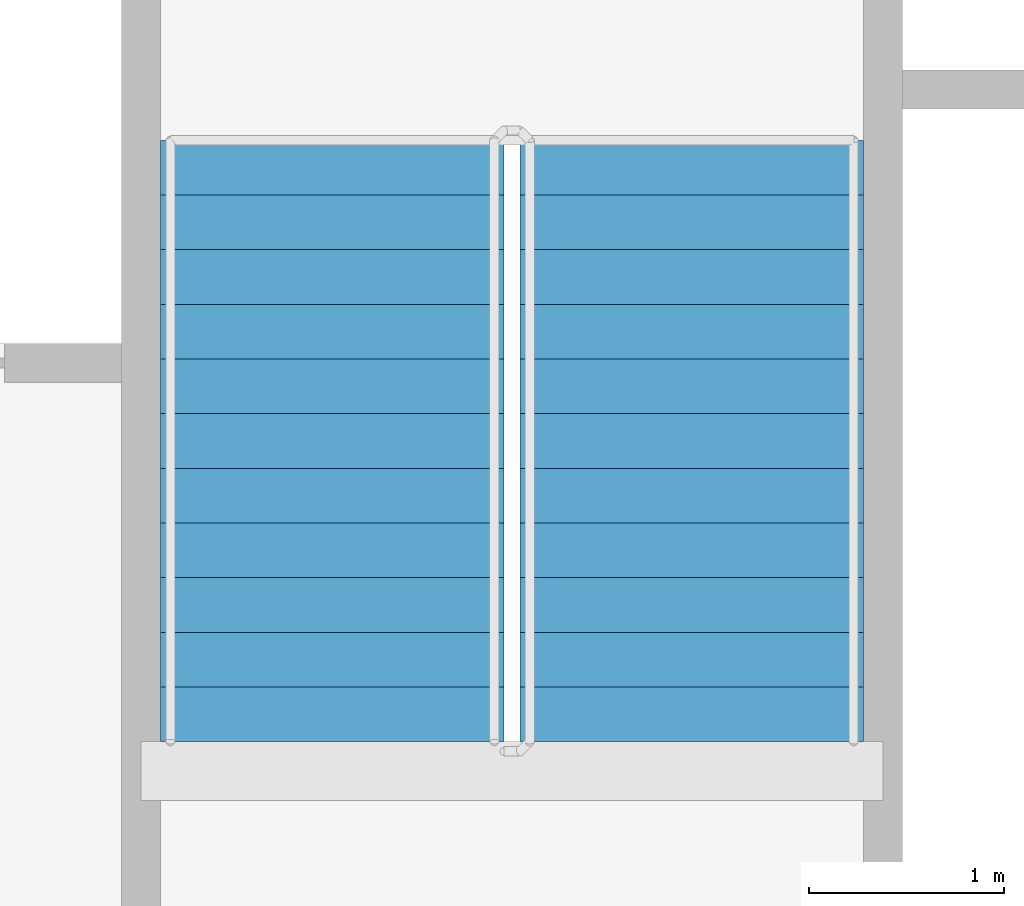
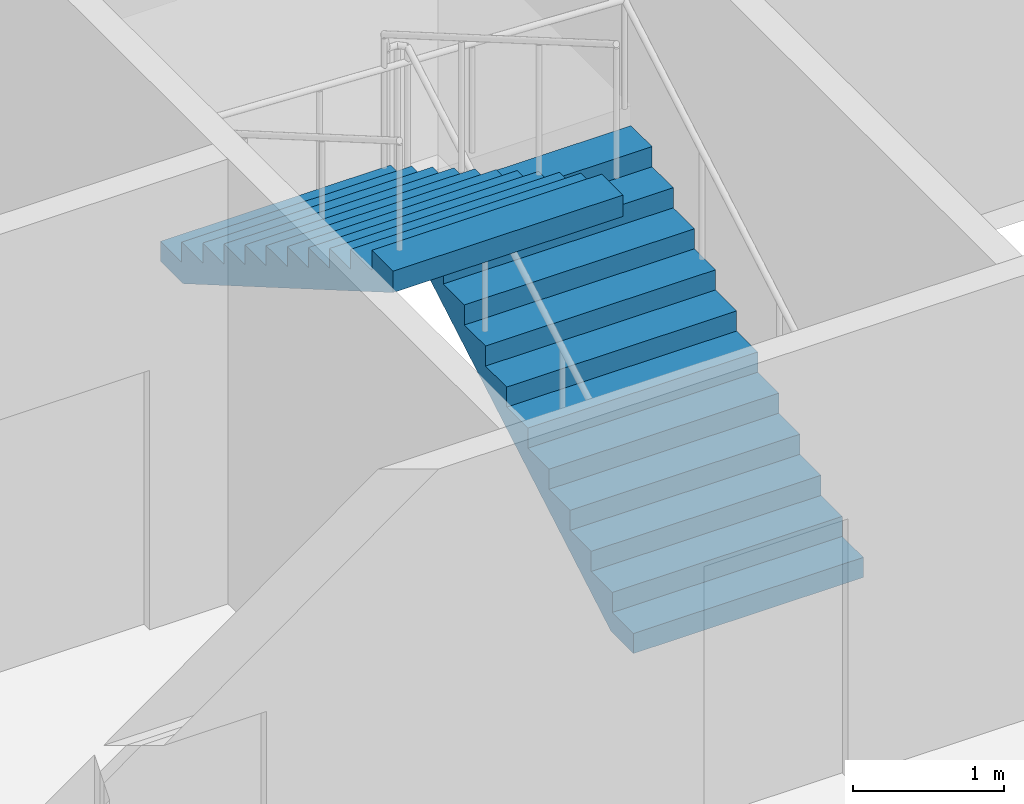
# One storey, part 10 of 11: 2 stair flights, 1 element without a shape of its own.
"""IFC4 building model written with IfcOpenShell, lengths in metres."""

from ifc_helpers import new_model, si_unit, direction, frame, origin, place, context, subcontext, project, spatial, faceted_brep, material, type_object, element, aggregate, save


model = new_model("IFC4")

# Units and contexts
model_context = context("Model", 3, precision=1e-05, world=origin(), true_north=direction((0.0, 1.0)))
body_context = subcontext(model_context, "Body", "Model", "MODEL_VIEW")
ifc_project = project(units=[si_unit("LENGTHUNIT", "METRE"), si_unit("AREAUNIT", "SQUARE_METRE"), si_unit("VOLUMEUNIT", "CUBIC_METRE"), si_unit("PLANEANGLEUNIT", "RADIAN"), si_unit("MASSUNIT", "GRAM", prefix="KILO")], contexts=[model_context])

# Site, building, storey
site_placement = place(None, origin())
site = spatial("IfcSite", under=ifc_project, at=site_placement, CompositionType="ELEMENT")
building_placement = place(site_placement, origin())
building = spatial("IfcBuilding", under=site, at=building_placement, Name="Tarsis Ring Headquarters", CompositionType="ELEMENT")
storey_placement = place(building_placement, frame((0.0, 0.0, 298.10009765625)))
storey = spatial("IfcBuildingStorey", under=building, at=storey_placement, Name="L70", CompositionType="ELEMENT", Elevation=298.10009765625)

# Stair, stair flights
ifc_material_1 = material(Name="Core stair 1760")
stair_type = type_object("IfcStairType", Name="Core stair 1760", PredefinedType="HALF_TURN_STAIR", material=ifc_material_1)
stair_placement = place(storey_placement, origin())
stair = element("IfcStair", 1, at=stair_placement, inside=storey, type_object=stair_type, Name="L70 Exit stair B", PredefinedType="HALF_TURN_STAIR")
ifc_material_2 = material(Name="Concrete C40/50", Category="concrete")
stair_flight_type = type_object("IfcStairFlightType", Name="Core stair flight 1760", PredefinedType="STRAIGHT", material=ifc_material_2)
stair_flight_1_placement = place(storey_placement, frame((5.419921875, 3.659912109375, 0.0), z_axis=(0.0, 0.0, 1.0), x_axis=(0.0, 1.0, 0.0)))
stair_flight_1 = element("IfcStairFlight", 2, at=stair_flight_1_placement, type_object=stair_flight_type, Name="Stair ST2 flight 1", NumberOfRisers=12, NumberOfTreads=11, PredefinedType="STRAIGHT", RiserHeight=0.1625, TreadLength=0.28, context=body_context, shape_type="Brep", body=[
    faceted_brep([(0.0, 0.8798828125, 0.0), (0.0, 0.8798828125, 0.16259765625), (0.280029296875, 0.8798828125, 0.16259765625), (0.280029296875, 0.8798828125, 0.324951171875), (0.56005859375, 0.8798828125, 0.324951171875), (0.56005859375, 0.8798828125, 0.487548828125), (0.840087890625, 0.8798828125, 0.487548828125), (0.840087890625, 0.8798828125, 0.64990234375), (1.1201171875, 0.8798828125, 0.64990234375), (1.1201171875, 0.8798828125, 0.8125), (1.39990234375, 0.8798828125, 0.8125), (1.39990234375, 0.8798828125, 0.97509765625), (1.679931640625, 0.8798828125, 0.97509765625), (1.679931640625, 0.8798828125, 1.137451171875), (1.9599609375, 0.8798828125, 1.137451171875), (1.9599609375, 0.8798828125, 1.300048828125), (2.239990234375, 0.8798828125, 1.300048828125), (2.239990234375, 0.8798828125, 1.46240234375), (2.52001953125, 0.8798828125, 1.46240234375), (2.52001953125, 0.8798828125, 1.625), (2.800048828125, 0.8798828125, 1.625), (2.800048828125, 0.8798828125, 1.78759765625), (3.080078125, 0.8798828125, 1.78759765625), (3.080078125, 0.8798828125, 1.6142578125), (0.298583984375, 0.8798828125, 0.0), (0.298583984375, -0.8798828125, 0.0), (3.080078125, -0.8798828125, 1.6142578125), (3.080078125, -0.8798828125, 1.78759765625), (2.800048828125, -0.8798828125, 1.78759765625), (2.800048828125, -0.8798828125, 1.625), (2.52001953125, -0.8798828125, 1.625), (2.52001953125, -0.8798828125, 1.46240234375), (2.239990234375, -0.8798828125, 1.46240234375), (2.239990234375, -0.8798828125, 1.300048828125), (1.9599609375, -0.8798828125, 1.300048828125), (1.9599609375, -0.8798828125, 1.137451171875), (1.679931640625, -0.8798828125, 1.137451171875), (1.679931640625, -0.8798828125, 0.97509765625), (1.39990234375, -0.8798828125, 0.97509765625), (1.39990234375, -0.8798828125, 0.8125), (1.1201171875, -0.8798828125, 0.8125), (1.1201171875, -0.8798828125, 0.64990234375), (0.840087890625, -0.8798828125, 0.64990234375), (0.840087890625, -0.8798828125, 0.487548828125), (0.56005859375, -0.8798828125, 0.487548828125), (0.56005859375, -0.8798828125, 0.324951171875), (0.280029296875, -0.8798828125, 0.324951171875), (0.280029296875, -0.8798828125, 0.16259765625), (0.0, -0.8798828125, 0.16259765625), (0.0, -0.8798828125, 0.0), (0.0, -0.43994140625, 0.16259765625), (0.0, -0.43994140625, 0.0), (0.0, 0.0, 0.16259765625), (0.0, 0.0, 0.0), (0.0, 0.43994140625, 0.16259765625), (0.0, 0.43994140625, 0.0), (0.280029296875, -0.43994140625, 0.16259765625), (0.280029296875, 0.0, 0.16259765625), (0.280029296875, 0.43994140625, 0.16259765625), (0.280029296875, -0.43994140625, 0.324951171875), (0.280029296875, 0.0, 0.324951171875), (0.280029296875, 0.43994140625, 0.324951171875), (0.56005859375, -0.43994140625, 0.324951171875), (0.56005859375, 0.0, 0.324951171875), (0.56005859375, 0.43994140625, 0.324951171875), (0.56005859375, -0.43994140625, 0.487548828125), (0.56005859375, 0.0, 0.487548828125), (0.56005859375, 0.43994140625, 0.487548828125), (0.840087890625, -0.43994140625, 0.487548828125), (0.840087890625, 0.0, 0.487548828125), (0.840087890625, 0.43994140625, 0.487548828125), (0.840087890625, -0.43994140625, 0.64990234375), (0.840087890625, 0.0, 0.64990234375), (0.840087890625, 0.43994140625, 0.64990234375), (1.1201171875, -0.43994140625, 0.64990234375), (1.1201171875, 0.0, 0.64990234375), (1.1201171875, 0.43994140625, 0.64990234375), (1.1201171875, -0.43994140625, 0.8125), (1.1201171875, 0.0, 0.8125), (1.1201171875, 0.43994140625, 0.8125), (1.39990234375, -0.43994140625, 0.8125), (1.39990234375, 0.0, 0.8125), (1.39990234375, 0.43994140625, 0.8125), (1.39990234375, -0.43994140625, 0.97509765625), (1.39990234375, 0.0, 0.97509765625), (1.39990234375, 0.43994140625, 0.97509765625), (1.679931640625, -0.43994140625, 0.97509765625), (1.679931640625, 0.0, 0.97509765625), (1.679931640625, 0.43994140625, 0.97509765625), (1.679931640625, -0.43994140625, 1.137451171875), (1.679931640625, 0.0, 1.137451171875), (1.679931640625, 0.43994140625, 1.137451171875), (1.9599609375, -0.43994140625, 1.137451171875), (1.9599609375, 0.0, 1.137451171875), (1.9599609375, 0.43994140625, 1.137451171875), (1.9599609375, -0.43994140625, 1.300048828125), (1.9599609375, 0.0, 1.300048828125), (1.9599609375, 0.43994140625, 1.300048828125), (2.239990234375, -0.43994140625, 1.300048828125), (2.239990234375, 0.0, 1.300048828125), (2.239990234375, 0.43994140625, 1.300048828125), (2.239990234375, -0.43994140625, 1.46240234375), (2.239990234375, 0.0, 1.46240234375), (2.239990234375, 0.43994140625, 1.46240234375), (2.52001953125, -0.43994140625, 1.46240234375), (2.52001953125, 0.0, 1.46240234375), (2.52001953125, 0.43994140625, 1.46240234375), (2.52001953125, -0.43994140625, 1.625), (2.52001953125, 0.0, 1.625), (2.52001953125, 0.43994140625, 1.625), (2.800048828125, -0.43994140625, 1.625), (2.800048828125, 0.0, 1.625), (2.800048828125, 0.43994140625, 1.625), (2.800048828125, -0.43994140625, 1.78759765625), (2.800048828125, 0.0, 1.78759765625), (2.800048828125, 0.43994140625, 1.78759765625), (3.080078125, -0.43994140625, 1.78759765625), (3.080078125, 0.0, 1.78759765625), (3.080078125, 0.43994140625, 1.78759765625), (3.080078125, -0.43994140625, 1.6142578125), (3.080078125, 0.0, 1.6142578125), (3.080078125, 0.43994140625, 1.6142578125), (0.298583984375, -0.43994140625, 0.0), (0.298583984375, 0.0, 0.0), (0.298583984375, 0.43994140625, 0.0)], [[[0, 1, 2, 3, 4, 5, 6, 7, 8, 9, 10, 11, 12, 13, 14, 15, 16, 17, 18, 19, 20, 21, 22, 23, 24]], [[25, 26, 27, 28, 29, 30, 31, 32, 33, 34, 35, 36, 37, 38, 39, 40, 41, 42, 43, 44, 45, 46, 47, 48, 49]], [[49, 48, 50, 51]], [[51, 50, 52, 53]], [[53, 52, 54, 55]], [[55, 54, 1, 0]], [[48, 47, 56, 50]], [[50, 56, 57, 52]], [[52, 57, 58, 54]], [[54, 58, 2, 1]], [[47, 46, 59, 56]], [[56, 59, 60, 57]], [[57, 60, 61, 58]], [[58, 61, 3, 2]], [[46, 45, 62, 59]], [[59, 62, 63, 60]], [[60, 63, 64, 61]], [[61, 64, 4, 3]], [[45, 44, 65, 62]], [[62, 65, 66, 63]], [[63, 66, 67, 64]], [[64, 67, 5, 4]], [[44, 43, 68, 65]], [[65, 68, 69, 66]], [[66, 69, 70, 67]], [[67, 70, 6, 5]], [[43, 42, 71, 68]], [[68, 71, 72, 69]], [[69, 72, 73, 70]], [[70, 73, 7, 6]], [[42, 41, 74, 71]], [[71, 74, 75, 72]], [[72, 75, 76, 73]], [[73, 76, 8, 7]], [[41, 40, 77, 74]], [[74, 77, 78, 75]], [[75, 78, 79, 76]], [[76, 79, 9, 8]], [[40, 39, 80, 77]], [[77, 80, 81, 78]], [[78, 81, 82, 79]], [[79, 82, 10, 9]], [[39, 38, 83, 80]], [[80, 83, 84, 81]], [[81, 84, 85, 82]], [[82, 85, 11, 10]], [[38, 37, 86, 83]], [[83, 86, 87, 84]], [[84, 87, 88, 85]], [[85, 88, 12, 11]], [[37, 36, 89, 86]], [[86, 89, 90, 87]], [[87, 90, 91, 88]], [[88, 91, 13, 12]], [[36, 35, 92, 89]], [[89, 92, 93, 90]], [[90, 93, 94, 91]], [[91, 94, 14, 13]], [[35, 34, 95, 92]], [[92, 95, 96, 93]], [[93, 96, 97, 94]], [[94, 97, 15, 14]], [[34, 33, 98, 95]], [[95, 98, 99, 96]], [[96, 99, 100, 97]], [[97, 100, 16, 15]], [[33, 32, 101, 98]], [[98, 101, 102, 99]], [[99, 102, 103, 100]], [[100, 103, 17, 16]], [[32, 31, 104, 101]], [[101, 104, 105, 102]], [[102, 105, 106, 103]], [[103, 106, 18, 17]], [[31, 30, 107, 104]], [[104, 107, 108, 105]], [[105, 108, 109, 106]], [[106, 109, 19, 18]], [[30, 29, 110, 107]], [[107, 110, 111, 108]], [[108, 111, 112, 109]], [[109, 112, 20, 19]], [[29, 28, 113, 110]], [[110, 113, 114, 111]], [[111, 114, 115, 112]], [[112, 115, 21, 20]], [[28, 27, 116, 113]], [[113, 116, 117, 114]], [[114, 117, 118, 115]], [[115, 118, 22, 21]], [[27, 26, 119, 116]], [[116, 119, 120, 117]], [[117, 120, 121, 118]], [[118, 121, 23, 22]], [[26, 25, 122, 119]], [[119, 122, 123, 120]], [[120, 123, 124, 121]], [[121, 124, 24, 23]], [[25, 49, 51, 122]], [[122, 51, 53, 123]], [[123, 53, 55, 124]], [[124, 55, 0, 24]]]),
])
stair_flight_2_placement = place(storey_placement, frame((3.580078125, 6.739990234375, 1.949951171875), z_axis=(0.0, 0.0, 1.0), x_axis=(0.0, -1.0, 0.0)))
stair_flight_2 = element("IfcStairFlight", 3, at=stair_flight_2_placement, type_object=stair_flight_type, Name="Stair ST2 flight 2", NumberOfRisers=12, NumberOfTreads=11, PredefinedType="STRAIGHT", RiserHeight=0.1625, TreadLength=0.28, context=body_context, shape_type="Brep", body=[
    faceted_brep([(0.0, 0.8798828125, 0.0), (0.0, 0.8798828125, 0.16259765625), (0.280029296875, 0.8798828125, 0.16259765625), (0.280029296875, 0.8798828125, 0.324951171875), (0.56005859375, 0.8798828125, 0.324951171875), (0.56005859375, 0.8798828125, 0.487548828125), (0.840087890625, 0.8798828125, 0.487548828125), (0.840087890625, 0.8798828125, 0.64990234375), (1.1201171875, 0.8798828125, 0.64990234375), (1.1201171875, 0.8798828125, 0.8125), (1.39990234375, 0.8798828125, 0.8125), (1.39990234375, 0.8798828125, 0.97509765625), (1.679931640625, 0.8798828125, 0.97509765625), (1.679931640625, 0.8798828125, 1.137451171875), (1.9599609375, 0.8798828125, 1.137451171875), (1.9599609375, 0.8798828125, 1.300048828125), (2.239990234375, 0.8798828125, 1.300048828125), (2.239990234375, 0.8798828125, 1.46240234375), (2.52001953125, 0.8798828125, 1.46240234375), (2.52001953125, 0.8798828125, 1.625), (2.800048828125, 0.8798828125, 1.625), (2.800048828125, 0.8798828125, 1.78759765625), (3.080078125, 0.8798828125, 1.78759765625), (3.080078125, 0.8798828125, 1.6142578125), (0.298583984375, 0.8798828125, 0.0), (0.298583984375, -0.8798828125, 0.0), (3.080078125, -0.8798828125, 1.6142578125), (3.080078125, -0.8798828125, 1.78759765625), (2.800048828125, -0.8798828125, 1.78759765625), (2.800048828125, -0.8798828125, 1.625), (2.52001953125, -0.8798828125, 1.625), (2.52001953125, -0.8798828125, 1.46240234375), (2.239990234375, -0.8798828125, 1.46240234375), (2.239990234375, -0.8798828125, 1.300048828125), (1.9599609375, -0.8798828125, 1.300048828125), (1.9599609375, -0.8798828125, 1.137451171875), (1.679931640625, -0.8798828125, 1.137451171875), (1.679931640625, -0.8798828125, 0.97509765625), (1.39990234375, -0.8798828125, 0.97509765625), (1.39990234375, -0.8798828125, 0.8125), (1.1201171875, -0.8798828125, 0.8125), (1.1201171875, -0.8798828125, 0.64990234375), (0.840087890625, -0.8798828125, 0.64990234375), (0.840087890625, -0.8798828125, 0.487548828125), (0.56005859375, -0.8798828125, 0.487548828125), (0.56005859375, -0.8798828125, 0.324951171875), (0.280029296875, -0.8798828125, 0.324951171875), (0.280029296875, -0.8798828125, 0.16259765625), (0.0, -0.8798828125, 0.16259765625), (0.0, -0.8798828125, 0.0), (0.0, -0.43994140625, 0.16259765625), (0.0, -0.43994140625, 0.0), (0.0, 0.0, 0.16259765625), (0.0, 0.0, 0.0), (0.0, 0.43994140625, 0.16259765625), (0.0, 0.43994140625, 0.0), (0.280029296875, -0.43994140625, 0.16259765625), (0.280029296875, 0.0, 0.16259765625), (0.280029296875, 0.43994140625, 0.16259765625), (0.280029296875, -0.43994140625, 0.324951171875), (0.280029296875, 0.0, 0.324951171875), (0.280029296875, 0.43994140625, 0.324951171875), (0.56005859375, -0.43994140625, 0.324951171875), (0.56005859375, 0.0, 0.324951171875), (0.56005859375, 0.43994140625, 0.324951171875), (0.56005859375, -0.43994140625, 0.487548828125), (0.56005859375, 0.0, 0.487548828125), (0.56005859375, 0.43994140625, 0.487548828125), (0.840087890625, -0.43994140625, 0.487548828125), (0.840087890625, 0.0, 0.487548828125), (0.840087890625, 0.43994140625, 0.487548828125), (0.840087890625, -0.43994140625, 0.64990234375), (0.840087890625, 0.0, 0.64990234375), (0.840087890625, 0.43994140625, 0.64990234375), (1.1201171875, -0.43994140625, 0.64990234375), (1.1201171875, 0.0, 0.64990234375), (1.1201171875, 0.43994140625, 0.64990234375), (1.1201171875, -0.43994140625, 0.8125), (1.1201171875, 0.0, 0.8125), (1.1201171875, 0.43994140625, 0.8125), (1.39990234375, -0.43994140625, 0.8125), (1.39990234375, 0.0, 0.8125), (1.39990234375, 0.43994140625, 0.8125), (1.39990234375, -0.43994140625, 0.97509765625), (1.39990234375, 0.0, 0.97509765625), (1.39990234375, 0.43994140625, 0.97509765625), (1.679931640625, -0.43994140625, 0.97509765625), (1.679931640625, 0.0, 0.97509765625), (1.679931640625, 0.43994140625, 0.97509765625), (1.679931640625, -0.43994140625, 1.137451171875), (1.679931640625, 0.0, 1.137451171875), (1.679931640625, 0.43994140625, 1.137451171875), (1.9599609375, -0.43994140625, 1.137451171875), (1.9599609375, 0.0, 1.137451171875), (1.9599609375, 0.43994140625, 1.137451171875), (1.9599609375, -0.43994140625, 1.300048828125), (1.9599609375, 0.0, 1.300048828125), (1.9599609375, 0.43994140625, 1.300048828125), (2.239990234375, -0.43994140625, 1.300048828125), (2.239990234375, 0.0, 1.300048828125), (2.239990234375, 0.43994140625, 1.300048828125), (2.239990234375, -0.43994140625, 1.46240234375), (2.239990234375, 0.0, 1.46240234375), (2.239990234375, 0.43994140625, 1.46240234375), (2.52001953125, -0.43994140625, 1.46240234375), (2.52001953125, 0.0, 1.46240234375), (2.52001953125, 0.43994140625, 1.46240234375), (2.52001953125, -0.43994140625, 1.625), (2.52001953125, 0.0, 1.625), (2.52001953125, 0.43994140625, 1.625), (2.800048828125, -0.43994140625, 1.625), (2.800048828125, 0.0, 1.625), (2.800048828125, 0.43994140625, 1.625), (2.800048828125, -0.43994140625, 1.78759765625), (2.800048828125, 0.0, 1.78759765625), (2.800048828125, 0.43994140625, 1.78759765625), (3.080078125, -0.43994140625, 1.78759765625), (3.080078125, 0.0, 1.78759765625), (3.080078125, 0.43994140625, 1.78759765625), (3.080078125, -0.43994140625, 1.6142578125), (3.080078125, 0.0, 1.6142578125), (3.080078125, 0.43994140625, 1.6142578125), (0.298583984375, -0.43994140625, 0.0), (0.298583984375, 0.0, 0.0), (0.298583984375, 0.43994140625, 0.0)], [[[0, 1, 2, 3, 4, 5, 6, 7, 8, 9, 10, 11, 12, 13, 14, 15, 16, 17, 18, 19, 20, 21, 22, 23, 24]], [[25, 26, 27, 28, 29, 30, 31, 32, 33, 34, 35, 36, 37, 38, 39, 40, 41, 42, 43, 44, 45, 46, 47, 48, 49]], [[49, 48, 50, 51]], [[51, 50, 52, 53]], [[53, 52, 54, 55]], [[55, 54, 1, 0]], [[48, 47, 56, 50]], [[50, 56, 57, 52]], [[52, 57, 58, 54]], [[54, 58, 2, 1]], [[47, 46, 59, 56]], [[56, 59, 60, 57]], [[57, 60, 61, 58]], [[58, 61, 3, 2]], [[46, 45, 62, 59]], [[59, 62, 63, 60]], [[60, 63, 64, 61]], [[61, 64, 4, 3]], [[45, 44, 65, 62]], [[62, 65, 66, 63]], [[63, 66, 67, 64]], [[64, 67, 5, 4]], [[44, 43, 68, 65]], [[65, 68, 69, 66]], [[66, 69, 70, 67]], [[67, 70, 6, 5]], [[43, 42, 71, 68]], [[68, 71, 72, 69]], [[69, 72, 73, 70]], [[70, 73, 7, 6]], [[42, 41, 74, 71]], [[71, 74, 75, 72]], [[72, 75, 76, 73]], [[73, 76, 8, 7]], [[41, 40, 77, 74]], [[74, 77, 78, 75]], [[75, 78, 79, 76]], [[76, 79, 9, 8]], [[40, 39, 80, 77]], [[77, 80, 81, 78]], [[78, 81, 82, 79]], [[79, 82, 10, 9]], [[39, 38, 83, 80]], [[80, 83, 84, 81]], [[81, 84, 85, 82]], [[82, 85, 11, 10]], [[38, 37, 86, 83]], [[83, 86, 87, 84]], [[84, 87, 88, 85]], [[85, 88, 12, 11]], [[37, 36, 89, 86]], [[86, 89, 90, 87]], [[87, 90, 91, 88]], [[88, 91, 13, 12]], [[36, 35, 92, 89]], [[89, 92, 93, 90]], [[90, 93, 94, 91]], [[91, 94, 14, 13]], [[35, 34, 95, 92]], [[92, 95, 96, 93]], [[93, 96, 97, 94]], [[94, 97, 15, 14]], [[34, 33, 98, 95]], [[95, 98, 99, 96]], [[96, 99, 100, 97]], [[97, 100, 16, 15]], [[33, 32, 101, 98]], [[98, 101, 102, 99]], [[99, 102, 103, 100]], [[100, 103, 17, 16]], [[32, 31, 104, 101]], [[101, 104, 105, 102]], [[102, 105, 106, 103]], [[103, 106, 18, 17]], [[31, 30, 107, 104]], [[104, 107, 108, 105]], [[105, 108, 109, 106]], [[106, 109, 19, 18]], [[30, 29, 110, 107]], [[107, 110, 111, 108]], [[108, 111, 112, 109]], [[109, 112, 20, 19]], [[29, 28, 113, 110]], [[110, 113, 114, 111]], [[111, 114, 115, 112]], [[112, 115, 21, 20]], [[28, 27, 116, 113]], [[113, 116, 117, 114]], [[114, 117, 118, 115]], [[115, 118, 22, 21]], [[27, 26, 119, 116]], [[116, 119, 120, 117]], [[117, 120, 121, 118]], [[118, 121, 23, 22]], [[26, 25, 122, 119]], [[119, 122, 123, 120]], [[120, 123, 124, 121]], [[121, 124, 24, 23]], [[25, 49, 51, 122]], [[122, 51, 53, 123]], [[123, 53, 55, 124]], [[124, 55, 0, 24]]]),
])
aggregate(stair, [stair_flight_1, stair_flight_2])

save(model, "model.ifc")
